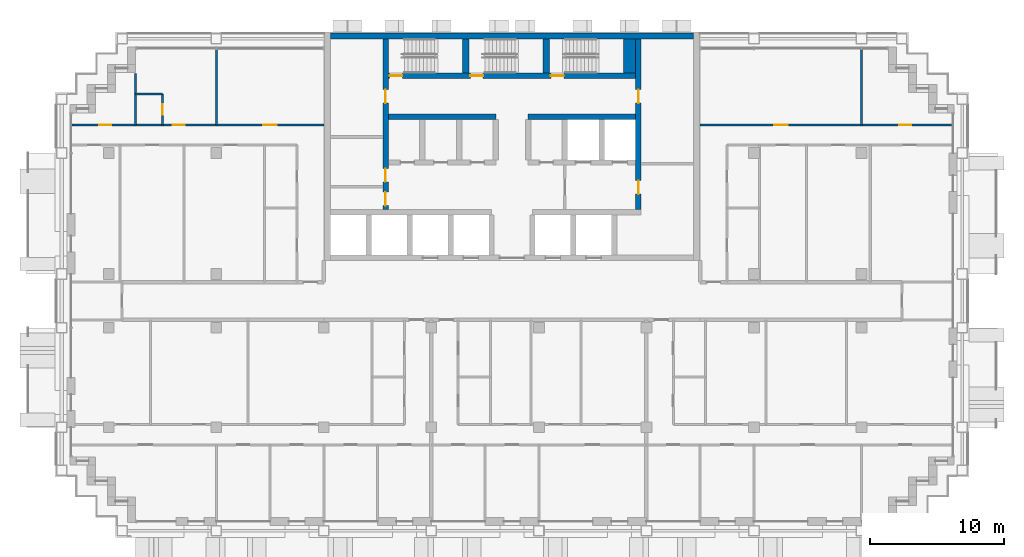
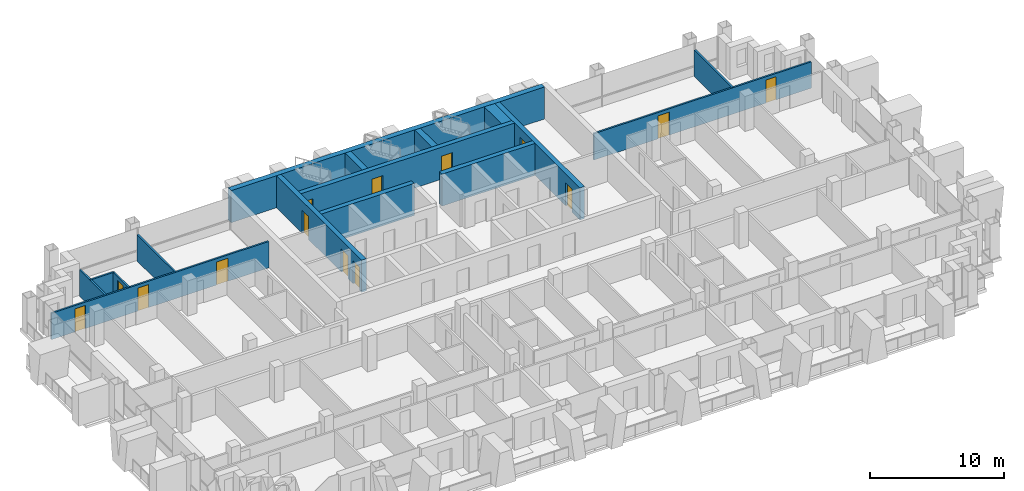
# One storey, part 11 of 16: 16 walls, 14 doors, 14 openings.
"""IFC4 building model written with IfcOpenShell, lengths in metres."""

import ifcopenshell
import ifcopenshell.guid

model = None  # the IFC model being written
_history = None  # IfcOwnerHistory: only IFC2X3 demands one
_inside = {}  # id of a spatial element -> (the spatial element, [elements in it])
_under = {}  # id of a project, library or spatial element -> (it, [spatial elements below it])
_declared = {}  # id of a project -> (the project, [libraries it declares])
_typed = {}  # id of a type object -> (the type object, [elements of that type])
_made_of = {}  # id of a material, layer set ... -> (it, [elements and type objects made of it])


def new_model(schema):
    """Start an empty IFC model of exactly this schema.

    Asked for "IFC4X3", IfcOpenShell would pick the latest addendum, in which some entities
    have other attributes; the version numbers below select the first issue.
    IFC2X3 requires an IfcOwnerHistory on every rooted entity: one is made here for all.
    """
    global model, _history
    if schema == "IFC4X3":
        model = ifcopenshell.file(schema_version=(4, 3, 0, 0))
    else:
        model = ifcopenshell.file(schema=schema)
    _inside.clear()
    _under.clear()
    _declared.clear()
    _typed.clear()
    _made_of.clear()
    _history = None
    if model.schema == "IFC2X3":
        org = make("IfcOrganization", Name="unknown")
        user = make(
            "IfcPersonAndOrganization",
            ThePerson=make("IfcPerson", FamilyName="unknown"),
            TheOrganization=org,
        )
        app = make(
            "IfcApplication",
            ApplicationDeveloper=org,
            Version="unknown",
            ApplicationFullName="unknown",
            ApplicationIdentifier="unknown",
        )
        _history = make(
            "IfcOwnerHistory",
            OwningUser=user,
            OwningApplication=app,
            ChangeAction="ADDED",
            CreationDate=0,
        )
    return model


def make(cls, **values):
    """One entity of the class cls with the attributes given. An attribute that is None is left unset."""
    return model.create_entity(
        cls, **{name: value for name, value in values.items() if value is not None}
    )


def rooted(cls, **values):
    """An entity with a GlobalId (a new one), such as an element, a storey or a relation."""
    return make(cls, GlobalId=ifcopenshell.guid.new(), OwnerHistory=_history, **values)


def si_unit(unit_type, name, prefix=None):
    """IfcSIUnit, for example si_unit("LENGTHUNIT", "METRE", prefix="MILLI")."""
    return make("IfcSIUnit", UnitType=unit_type, Prefix=prefix, Name=name)


def assignment(units):
    """IfcUnitAssignment: the units of a project."""
    return None if units is None else make("IfcUnitAssignment", Units=units)


def point(xyz):
    """IfcCartesianPoint."""
    return None if xyz is None else make("IfcCartesianPoint", Coordinates=xyz)


def direction(xyz):
    """IfcDirection."""
    return None if xyz is None else make("IfcDirection", DirectionRatios=xyz)


def frame(location, z_axis=None, x_axis=None):
    """IfcAxis2Placement3D, a coordinate frame: its origin and axes. An axis left out is left unset."""
    return make(
        "IfcAxis2Placement3D",
        Location=point(location),
        Axis=direction(z_axis),
        RefDirection=direction(x_axis),
    )


def frame_2d(location, x_axis=None):
    """IfcAxis2Placement2D, a coordinate frame in the plane: its origin and x axis."""
    return make(
        "IfcAxis2Placement2D", Location=point(location), RefDirection=direction(x_axis)
    )


def origin():
    """The frame at (0, 0, 0) with its axes left unset."""
    return frame((0.0, 0.0, 0.0))


def place(relative_to, where):
    """IfcLocalPlacement: puts the frame where relative to a parent placement (None: the world)."""
    return make(
        "IfcLocalPlacement", PlacementRelTo=relative_to, RelativePlacement=where
    )


def context(
    kind, dimensions, precision=None, world=None, true_north=None, identifier=None
):
    """IfcGeometricRepresentationContext, for example the 3D "Model" context."""
    return make(
        "IfcGeometricRepresentationContext",
        ContextIdentifier=identifier,
        ContextType=kind,
        CoordinateSpaceDimension=dimensions,
        Precision=precision,
        WorldCoordinateSystem=world,
        TrueNorth=true_north,
    )


def subcontext(parent, identifier, kind, view, scale=None):
    """IfcGeometricRepresentationSubContext, for example "Body" below "Model"."""
    return make(
        "IfcGeometricRepresentationSubContext",
        ContextIdentifier=identifier,
        ContextType=kind,
        ParentContext=parent,
        TargetScale=scale,
        TargetView=view,
    )


def project(units=None, contexts=None):
    """IfcProject with its units and contexts."""
    return rooted(
        "IfcProject",
        Name="project",
        RepresentationContexts=contexts,
        UnitsInContext=assignment(units),
    )


def spatial(cls, under=None, at=None, **own):
    """A site, building, storey or space (cls), placed at a placement, below another one or the project."""
    s = rooted(cls, ObjectPlacement=at, **own)
    if under is not None:
        _under.setdefault(under.id(), (under, []))[1].append(s)
    return s


def profile(cls, at=None, kind="AREA", **sizes):
    """A parametric profile (cls). Its sizes go by their IFC names, for example OverallWidth=200.0."""
    return make(cls, ProfileType=kind, Position=at, **sizes)


def rectangle(**sizes):
    """IfcRectangleProfileDef."""
    return profile("IfcRectangleProfileDef", **sizes)


def extrude(swept, where, along, depth):
    """IfcExtrudedAreaSolid: the profile swept, set in the frame where, extruded along a direction by depth."""
    return make(
        "IfcExtrudedAreaSolid",
        SweptArea=swept,
        Position=where,
        ExtrudedDirection=direction(along),
        Depth=depth,
    )


def shape(context_of_items, identifier, shape_type, items):
    """IfcShapeRepresentation: the items that make up one representation, for example the "Body"."""
    return make(
        "IfcShapeRepresentation",
        ContextOfItems=context_of_items,
        RepresentationIdentifier=identifier,
        RepresentationType=shape_type,
        Items=items,
    )


def material(Name=None, Category=None):
    """IfcMaterial."""
    return make("IfcMaterial", Name=Name, Category=Category)


def layer(
    of_material, thickness, ventilated=None, Name=None, Category=None, Priority=None
):
    """IfcMaterialLayer: one layer of a wall or slab, of a material (None: an air gap)."""
    return make(
        "IfcMaterialLayer",
        Material=of_material,
        LayerThickness=thickness,
        IsVentilated=ventilated,
        Name=Name,
        Category=Category,
        Priority=Priority,
    )


def layer_set(layers, Name=None):
    """IfcMaterialLayerSet."""
    return make("IfcMaterialLayerSet", MaterialLayers=layers, LayerSetName=Name)


def made_of(thing, what):
    """Note that an element or type object is made of a material, layer set ...; save() writes the relation."""
    if what is not None:
        _made_of.setdefault(what.id(), (what, []))[1].append(thing)
    return thing


def type_object(cls, material=None, **own):
    """A type object (cls), such as IfcWallType, which elements share."""
    return made_of(rooted(cls, **own), material)


def element(
    cls,
    number,
    at=None,
    inside=None,
    cuts=None,
    type_object=None,
    material=None,
    context=None,
    identifier="Body",
    shape_type=None,
    held_by="IfcProductDefinitionShape",
    body=None,
    shapes=None,
    **own,
):
    """One element of the class cls, such as IfcWall. Its Tag is "e" and its number.

    at: its placement. inside: the storey or other place that contains it. cuts: it is an
    opening in that element (IfcRelVoidsElement). A single representation is given by context,
    identifier, shape_type and body (its items); several are given by shapes. held_by: the class
    of the entity that holds the representations. save() writes the other relations.
    """
    e = rooted(cls, Tag="e%d" % number, ObjectPlacement=at, **own)
    if body is not None:
        shapes = [shape(context, identifier, shape_type, body)]
    if shapes is not None:
        e.Representation = make(held_by, Representations=shapes)
    if inside is not None:
        _inside.setdefault(inside.id(), (inside, []))[1].append(e)
    if cuts is not None:
        rooted(
            "IfcRelVoidsElement", RelatingBuildingElement=cuts, RelatedOpeningElement=e
        )
    if type_object is not None:
        _typed.setdefault(type_object.id(), (type_object, []))[1].append(e)
    return made_of(e, material)


def fill(opening, filler):
    """IfcRelFillsElement: the door or window that sits in an opening."""
    return rooted(
        "IfcRelFillsElement",
        RelatingOpeningElement=opening,
        RelatedBuildingElement=filler,
    )


def aggregate(whole, parts):
    """IfcRelAggregates: a whole, such as a stair, and the parts it consists of."""
    return rooted("IfcRelAggregates", RelatingObject=whole, RelatedObjects=parts)


def save(model, path):
    """Write the relations noted so far, then the file.

    IfcRelAggregates (storeys below a building ...), IfcRelContainedInSpatialStructure (elements
    in a storey), IfcRelDefinesByType, IfcRelAssociatesMaterial and IfcRelDeclares: one each for
    every whole, place, type object, material and project.
    """
    for whole, parts in _under.values():
        aggregate(whole, parts)
    for where, things in _inside.values():
        rooted(
            "IfcRelContainedInSpatialStructure",
            RelatedElements=things,
            RelatingStructure=where,
        )
    for kind, things in _typed.values():
        rooted("IfcRelDefinesByType", RelatedObjects=things, RelatingType=kind)
    for what, things in _made_of.values():
        rooted("IfcRelAssociatesMaterial", RelatedObjects=things, RelatingMaterial=what)
    for by, libraries in _declared.values():
        rooted("IfcRelDeclares", RelatingContext=by, RelatedDefinitions=libraries)
    model.write(path)


model = new_model("IFC4")

# Units and contexts
model_context = context("Model", 3, precision=1e-05, world=origin(), true_north=direction((0.0, 1.0)))
body_context = subcontext(model_context, "Body", "Model", "MODEL_VIEW")
ifc_project = project(units=[si_unit("LENGTHUNIT", "METRE"), si_unit("AREAUNIT", "SQUARE_METRE"), si_unit("VOLUMEUNIT", "CUBIC_METRE"), si_unit("PLANEANGLEUNIT", "RADIAN"), si_unit("MASSUNIT", "GRAM", prefix="KILO")], contexts=[model_context])

# Site, building, storey
site_placement = place(None, origin())
site = spatial("IfcSite", under=ifc_project, at=site_placement, CompositionType="ELEMENT")
building_placement = place(site_placement, origin())
building = spatial("IfcBuilding", under=site, at=building_placement, Name="Vidyagriha Tower", CompositionType="ELEMENT")
storey_placement = place(building_placement, frame((0.0, 0.0, 132.60009765625)))
storey = spatial("IfcBuildingStorey", under=building, at=storey_placement, Name="L34", CompositionType="ELEMENT", Elevation=132.60009765625)

# Wall, openings, doors
ifc_material_1 = material(Name="Concrete C60/75", Category="concrete")
ifc_layer_1 = layer(ifc_material_1, 0.39990234375)
ifc_layer_set_1 = layer_set([ifc_layer_1], Name="Concrete C60/75")
wall_type_1 = type_object("IfcWallType", Name="Core shear wall 400 mm", PredefinedType="SHEAR", material=ifc_layer_set_1)
wall_1_placement = place(storey_placement, frame((-9.39990234375, 6.800048828125, 0.0), z_axis=(0.0, 0.0, 1.0), x_axis=(0.0, 1.0, 0.0)))
wall_1 = element("IfcWall", 1, at=wall_1_placement, inside=storey, type_object=wall_type_1, Name="Core west spine wall", PredefinedType="SHEAR", context=body_context, shape_type="SweptSolid", body=[
    extrude(rectangle(XDim=12.699951171875, YDim=0.39990234375, at=frame_2d((6.35009765625, 0.0))), origin(), (0.0, 0.0, 1.0), 2.919921875),
])
opening_1_placement = place(wall_1_placement, frame((0.300048828125, 0.0, 0.0)))
opening_1 = element("IfcOpeningElement", 2, at=opening_1_placement, cuts=wall_1, Name="Opening D34-10", PredefinedType="OPENING", context=body_context, shape_type="SweptSolid", body=[
    extrude(rectangle(XDim=1.0, YDim=2.10009765625, at=frame_2d((0.5, 1.050048828125))), frame((0.0, 0.2099609375, 0.0), z_axis=(0.0, -1.0, 0.0), x_axis=(1.0, 0.0, 0.0)), (0.0, 0.0, 1.0), 0.419921875),
])
opening_2_placement = place(wall_1_placement, frame((2.050048828125, 0.0, 0.0)))
opening_2 = element("IfcOpeningElement", 3, at=opening_2_placement, cuts=wall_1, Name="Opening D34-11", PredefinedType="OPENING", context=body_context, shape_type="SweptSolid", body=[
    extrude(rectangle(XDim=1.0, YDim=2.10009765625, at=frame_2d((0.5, 1.050048828125))), frame((0.0, 0.2099609375, 0.0), z_axis=(0.0, -1.0, 0.0), x_axis=(1.0, 0.0, 0.0)), (0.0, 0.0, 1.0), 0.419921875),
])
opening_3_placement = place(wall_1_placement, frame((7.925048828125, 0.0, 0.0)))
opening_3 = element("IfcOpeningElement", 4, at=opening_3_placement, cuts=wall_1, Name="Opening D34-12", PredefinedType="OPENING", context=body_context, shape_type="SweptSolid", body=[
    extrude(rectangle(XDim=1.0, YDim=2.10009765625, at=frame_2d((0.5, 1.050048828125))), frame((0.0, 0.2099609375, 0.0), z_axis=(0.0, -1.0, 0.0), x_axis=(1.0, 0.0, 0.0)), (0.0, 0.0, 1.0), 0.419921875),
])
ifc_material_2 = material(Name="Hollow metal door leaf")
door_type_1 = type_object("IfcDoorType", Name="Core room door 1000 x 2100 mm EI 60", OperationType="NOTDEFINED", PredefinedType="DOOR", material=ifc_material_2)
door_1_placement = place(opening_1_placement, frame((1.0, 0.0, 0.0), z_axis=(0.0, 0.0, 1.0), x_axis=(-1.0, 0.0, 0.0)))
door_1 = element("IfcDoor", 5, at=door_1_placement, inside=storey, type_object=door_type_1, Name="Door Electrical Room 34.W1", OperationType="SINGLE_SWING_RIGHT", OverallHeight=2.10009765625, OverallWidth=1.0, PredefinedType="DOOR", context=body_context, shape_type="SweptSolid", body=[
    extrude(rectangle(XDim=1.0, YDim=2.10009765625, at=frame_2d((0.5, 1.050048828125))), frame((0.0, 0.02490234375, 0.0), z_axis=(0.0, -1.0, 0.0), x_axis=(1.0, 0.0, 0.0)), (0.0, 0.0, 1.0), 0.050048828125),
])
fill(opening_1, door_1)
door_2_placement = place(opening_2_placement, frame((1.0, 0.0, 0.0), z_axis=(0.0, 0.0, 1.0), x_axis=(-1.0, 0.0, 0.0)))
door_2 = element("IfcDoor", 6, at=door_2_placement, inside=storey, type_object=door_type_1, Name="Door Refuse Room 34.W2", OperationType="SINGLE_SWING_LEFT", OverallHeight=2.10009765625, OverallWidth=1.0, PredefinedType="DOOR", context=body_context, shape_type="SweptSolid", body=[
    extrude(rectangle(XDim=1.0, YDim=2.10009765625, at=frame_2d((0.5, 1.050048828125))), frame((0.0, 0.02490234375, 0.0), z_axis=(0.0, -1.0, 0.0), x_axis=(1.0, 0.0, 0.0)), (0.0, 0.0, 1.0), 0.050048828125),
])
fill(opening_2, door_2)
door_3_placement = place(opening_3_placement, frame((1.0, 0.0, 0.0), z_axis=(0.0, 0.0, 1.0), x_axis=(-1.0, 0.0, 0.0)))
door_3 = element("IfcDoor", 7, at=door_3_placement, inside=storey, type_object=door_type_1, Name="Door Mechanical Riser Room 34.W3", OperationType="SINGLE_SWING_LEFT", OverallHeight=2.10009765625, OverallWidth=1.0, PredefinedType="DOOR", context=body_context, shape_type="SweptSolid", body=[
    extrude(rectangle(XDim=1.0, YDim=2.10009765625, at=frame_2d((0.5, 1.050048828125))), frame((0.0, 0.02490234375, 0.0), z_axis=(0.0, -1.0, 0.0), x_axis=(1.0, 0.0, 0.0)), (0.0, 0.0, 1.0), 0.050048828125),
])
fill(opening_3, door_3)

wall_2_placement = place(storey_placement, frame((9.39990234375, 6.800048828125, 0.0), z_axis=(0.0, 0.0, 1.0), x_axis=(0.0, 1.0, 0.0)))
wall_2 = element("IfcWall", 8, at=wall_2_placement, inside=storey, type_object=wall_type_1, Name="Core east spine wall", PredefinedType="SHEAR", context=body_context, shape_type="SweptSolid", body=[
    extrude(rectangle(XDim=12.699951171875, YDim=0.39990234375, at=frame_2d((6.35009765625, 0.0))), origin(), (0.0, 0.0, 1.0), 2.919921875),
])
opening_4_placement = place(wall_2_placement, frame((1.14990234375, 0.0, 0.0)))
opening_4 = element("IfcOpeningElement", 9, at=opening_4_placement, cuts=wall_2, Name="Opening D34-13", PredefinedType="OPENING", context=body_context, shape_type="SweptSolid", body=[
    extrude(rectangle(XDim=1.0, YDim=2.10009765625, at=frame_2d((0.5, 1.050048828125))), frame((0.0, 0.2099609375, 0.0), z_axis=(0.0, -1.0, 0.0), x_axis=(1.0, 0.0, 0.0)), (0.0, 0.0, 1.0), 0.419921875),
])
opening_5_placement = place(wall_2_placement, frame((7.925048828125, 0.0, 0.0)))
opening_5 = element("IfcOpeningElement", 10, at=opening_5_placement, cuts=wall_2, Name="Opening D34-14", PredefinedType="OPENING", context=body_context, shape_type="SweptSolid", body=[
    extrude(rectangle(XDim=1.0, YDim=2.10009765625, at=frame_2d((0.5, 1.050048828125))), frame((0.0, 0.2099609375, 0.0), z_axis=(0.0, -1.0, 0.0), x_axis=(1.0, 0.0, 0.0)), (0.0, 0.0, 1.0), 0.419921875),
])
door_4_placement = place(opening_4_placement, origin())
door_4 = element("IfcDoor", 11, at=door_4_placement, inside=storey, type_object=door_type_1, Name="Door Cleaners Store 34.E1", OperationType="SINGLE_SWING_RIGHT", OverallHeight=2.10009765625, OverallWidth=1.0, PredefinedType="DOOR", context=body_context, shape_type="SweptSolid", body=[
    extrude(rectangle(XDim=1.0, YDim=2.10009765625, at=frame_2d((0.5, 1.050048828125))), frame((0.0, 0.02490234375, 0.0), z_axis=(0.0, -1.0, 0.0), x_axis=(1.0, 0.0, 0.0)), (0.0, 0.0, 1.0), 0.050048828125),
])
fill(opening_4, door_4)
door_5_placement = place(opening_5_placement, origin())
door_5 = element("IfcDoor", 12, at=door_5_placement, inside=storey, type_object=door_type_1, Name="Door Pressurisation Plant Room 34.E2", OperationType="SINGLE_SWING_LEFT", OverallHeight=2.10009765625, OverallWidth=1.0, PredefinedType="DOOR", context=body_context, shape_type="SweptSolid", body=[
    extrude(rectangle(XDim=1.0, YDim=2.10009765625, at=frame_2d((0.5, 1.050048828125))), frame((0.0, 0.02490234375, 0.0), z_axis=(0.0, -1.0, 0.0), x_axis=(1.0, 0.0, 0.0)), (0.0, 0.0, 1.0), 0.050048828125),
])
fill(opening_5, door_5)

# Walls
for number, where, name in (
    (13, (-9.199951171875, 13.699951171875, 0.0), "Core row N rear wall"),
    (14, (1.199951171875, 13.699951171875, 0.0), "Core row N rear wall"),
):
    element("IfcWall", number, at=place(storey_placement, frame(where)), inside=storey, type_object=wall_type_1, Name=name, PredefinedType="SHEAR", context=body_context, shape_type="SweptSolid", body=[
        extrude(rectangle(XDim=8.0, YDim=0.39990234375, at=frame_2d((4.0, 0.0))), origin(), (0.0, 0.0, 1.0), 2.919921875),
    ])

# Wall, openings, doors
wall_3_placement = place(storey_placement, frame((-9.199951171875, 16.75, 0.0)))
wall_3 = element("IfcWall", 15, at=wall_3_placement, inside=storey, type_object=wall_type_1, Name="Stair front wall", PredefinedType="SHEAR", context=body_context, shape_type="SweptSolid", body=[
    extrude(rectangle(XDim=18.39990234375, YDim=0.39990234375, at=frame_2d((9.199951171875, 0.0))), origin(), (0.0, 0.0, 1.0), 2.919921875),
])
opening_6_placement = place(wall_3_placement, frame((0.10009765625, 0.0, 0.0)))
opening_6 = element("IfcOpeningElement", 16, at=opening_6_placement, cuts=wall_3, Name="Opening D34-07", PredefinedType="OPENING", context=body_context, shape_type="SweptSolid", body=[
    extrude(rectangle(XDim=0.949951171875, YDim=2.10009765625, at=frame_2d((0.47509765625, 1.050048828125))), frame((0.0, 0.2099609375, 0.0), z_axis=(0.0, -1.0, 0.0), x_axis=(1.0, 0.0, 0.0)), (0.0, 0.0, 1.0), 0.419921875),
])
opening_7_placement = place(wall_3_placement, frame((6.10009765625, 0.0, 0.0)))
opening_7 = element("IfcOpeningElement", 17, at=opening_7_placement, cuts=wall_3, Name="Opening D34-08", PredefinedType="OPENING", context=body_context, shape_type="SweptSolid", body=[
    extrude(rectangle(XDim=0.949951171875, YDim=2.10009765625, at=frame_2d((0.47509765625, 1.050048828125))), frame((0.0, 0.2099609375, 0.0), z_axis=(0.0, -1.0, 0.0), x_axis=(1.0, 0.0, 0.0)), (0.0, 0.0, 1.0), 0.419921875),
])
opening_8_placement = place(wall_3_placement, frame((12.10009765625, 0.0, 0.0)))
opening_8 = element("IfcOpeningElement", 18, at=opening_8_placement, cuts=wall_3, Name="Opening D34-09", PredefinedType="OPENING", context=body_context, shape_type="SweptSolid", body=[
    extrude(rectangle(XDim=0.949951171875, YDim=2.10009765625, at=frame_2d((0.47509765625, 1.050048828125))), frame((0.0, 0.2099609375, 0.0), z_axis=(0.0, -1.0, 0.0), x_axis=(1.0, 0.0, 0.0)), (0.0, 0.0, 1.0), 0.419921875),
])
ifc_material_3 = material(Name="Hollow metal door leaf")
door_type_2 = type_object("IfcDoorType", Name="Exit stair door 950 x 2100 mm EI 90", OperationType="NOTDEFINED", PredefinedType="DOOR", material=ifc_material_3)
door_6_placement = place(opening_6_placement, origin())
door_6 = element("IfcDoor", 19, at=door_6_placement, inside=storey, type_object=door_type_2, Name="Stair door ST1 L34", OperationType="SINGLE_SWING_LEFT", OverallHeight=2.10009765625, OverallWidth=0.949951171875, PredefinedType="DOOR", context=body_context, shape_type="SweptSolid", body=[
    extrude(rectangle(XDim=0.949951171875, YDim=2.10009765625, at=frame_2d((0.47509765625, 1.050048828125))), frame((0.0, 0.02490234375, 0.0), z_axis=(0.0, -1.0, 0.0), x_axis=(1.0, 0.0, 0.0)), (0.0, 0.0, 1.0), 0.050048828125),
])
fill(opening_6, door_6)
door_7_placement = place(opening_7_placement, origin())
door_7 = element("IfcDoor", 20, at=door_7_placement, inside=storey, type_object=door_type_2, Name="Stair door ST2 L34", OperationType="SINGLE_SWING_LEFT", OverallHeight=2.10009765625, OverallWidth=0.949951171875, PredefinedType="DOOR", context=body_context, shape_type="SweptSolid", body=[
    extrude(rectangle(XDim=0.949951171875, YDim=2.10009765625, at=frame_2d((0.47509765625, 1.050048828125))), frame((0.0, 0.02490234375, 0.0), z_axis=(0.0, -1.0, 0.0), x_axis=(1.0, 0.0, 0.0)), (0.0, 0.0, 1.0), 0.050048828125),
])
fill(opening_7, door_7)
door_8_placement = place(opening_8_placement, origin())
door_8 = element("IfcDoor", 21, at=door_8_placement, inside=storey, type_object=door_type_2, Name="Stair door ST3 L34", OperationType="SINGLE_SWING_LEFT", OverallHeight=2.10009765625, OverallWidth=0.949951171875, PredefinedType="DOOR", context=body_context, shape_type="SweptSolid", body=[
    extrude(rectangle(XDim=0.949951171875, YDim=2.10009765625, at=frame_2d((0.47509765625, 1.050048828125))), frame((0.0, 0.02490234375, 0.0), z_axis=(0.0, -1.0, 0.0), x_axis=(1.0, 0.0, 0.0)), (0.0, 0.0, 1.0), 0.050048828125),
])
fill(opening_8, door_8)

# Walls
ifc_material_4 = material(Name="Concrete C60/75", Category="concrete")
ifc_layer_2 = layer(ifc_material_4, 0.449951171875)
ifc_layer_set_2 = layer_set([ifc_layer_2], Name="Concrete C60/75")
wall_type_2 = type_object("IfcWallType", Name="Core shear wall 450 mm", PredefinedType="SHEAR", material=ifc_layer_set_2)
wall_4_placement = place(storey_placement, frame((-13.5, 19.72509765625, 0.0)))
element("IfcWall", 22, at=wall_4_placement, inside=storey, type_object=wall_type_2, Name="Core north wall", PredefinedType="SHEAR", context=body_context, shape_type="SweptSolid", body=[
    extrude(rectangle(XDim=27.0, YDim=0.449951171875, at=frame_2d((13.5, 0.0))), origin(), (0.0, 0.0, 1.0), 2.919921875),
])
ifc_material_5 = material(Name="Concrete C60/75", Category="concrete")
ifc_layer_3 = layer(ifc_material_5, 0.5)
ifc_layer_set_3 = layer_set([ifc_layer_3], Name="Concrete C60/75")
wall_type_3 = type_object("IfcWallType", Name="Core shear wall 500 mm", PredefinedType="SHEAR", material=ifc_layer_set_3)
for number, where, z_axis, x_axis, name in (
    (23, (-3.449951171875, 16.949951171875, 0.0), (0.0, 0.0, 1.0), (0.0, 1.0, 0.0), "Stair partition wall 1"),
    (24, (2.550048828125, 16.949951171875, 0.0), (0.0, 0.0, 1.0), (0.0, 1.0, 0.0), "Stair partition wall 2"),
):
    element("IfcWall", number, at=place(storey_placement, frame(where, z_axis=z_axis, x_axis=x_axis)), inside=storey, type_object=wall_type_3, Name=name, PredefinedType="SHEAR", context=body_context, shape_type="SweptSolid", body=[
        extrude(rectangle(XDim=2.550048828125, YDim=0.5, at=frame_2d((1.27490234375, 0.0))), origin(), (0.0, 0.0, 1.0), 2.919921875),
    ])
ifc_material_6 = material(Name="Concrete C60/75", Category="concrete")
ifc_layer_4 = layer(ifc_material_6, 0.89990234375)
ifc_layer_set_4 = layer_set([ifc_layer_4], Name="Concrete C60/75")
wall_type_4 = type_object("IfcWallType", Name="Core shear wall 900 mm", PredefinedType="SHEAR", material=ifc_layer_set_4)
wall_5_placement = place(storey_placement, frame((8.75, 16.949951171875, 0.0), z_axis=(0.0, 0.0, 1.0), x_axis=(0.0, 1.0, 0.0)))
element("IfcWall", 25, at=wall_5_placement, inside=storey, type_object=wall_type_4, Name="Stair end wall", PredefinedType="SHEAR", context=body_context, shape_type="SweptSolid", body=[
    extrude(rectangle(XDim=2.550048828125, YDim=0.89990234375, at=frame_2d((1.27490234375, 0.0))), origin(), (0.0, 0.0, 1.0), 2.919921875),
])

# Wall, openings, doors
ifc_material_7 = material(Name="Gypsum board partition")
ifc_layer_5 = layer(ifc_material_7, 0.14990234375)
ifc_layer_set_5 = layer_set([ifc_layer_5], Name="Gypsum board partition")
wall_type_5 = type_object("IfcWallType", Name="Gypsum board partition 150", PredefinedType="PARTITIONING", material=ifc_layer_set_5)
wall_6_placement = place(storey_placement, frame((-32.719970703125, 13.10009765625, 0.0)))
wall_6 = element("IfcWall", 26, at=wall_6_placement, inside=storey, type_object=wall_type_5, Name="Wall all-L34-w078", PredefinedType="PARTITIONING", context=body_context, shape_type="SweptSolid", body=[
    extrude(rectangle(XDim=18.719970703125, YDim=0.14990234375, at=frame_2d((9.35986328125, 0.0))), origin(), (0.0, 0.0, 1.0), 2.39990234375),
])
opening_9_placement = place(wall_6_placement, frame((2.02001953125, 0.0, 0.0)))
opening_9 = element("IfcOpeningElement", 27, at=opening_9_placement, cuts=wall_6, Name="Opening D34-50", PredefinedType="OPENING", context=body_context, shape_type="SweptSolid", body=[
    extrude(rectangle(XDim=0.89990234375, YDim=2.10009765625, at=frame_2d((0.449951171875, 1.050048828125))), frame((0.0, 0.0849609375, 0.0), z_axis=(0.0, -1.0, 0.0), x_axis=(1.0, 0.0, 0.0)), (0.0, 0.0, 1.0), 0.169921875),
])
opening_10_placement = place(wall_6_placement, frame((7.469970703125, 0.0, 0.0)))
opening_10 = element("IfcOpeningElement", 28, at=opening_10_placement, cuts=wall_6, Name="Opening D34-51", PredefinedType="OPENING", context=body_context, shape_type="SweptSolid", body=[
    extrude(rectangle(XDim=0.89990234375, YDim=2.10009765625, at=frame_2d((0.449951171875, 1.050048828125))), frame((0.0, 0.0849609375, 0.0), z_axis=(0.0, -1.0, 0.0), x_axis=(1.0, 0.0, 0.0)), (0.0, 0.0, 1.0), 0.169921875),
])
opening_11_placement = place(wall_6_placement, frame((14.219970703125, 0.0, 0.0)))
opening_11 = element("IfcOpeningElement", 29, at=opening_11_placement, cuts=wall_6, Name="Opening D34-52", PredefinedType="OPENING", context=body_context, shape_type="SweptSolid", body=[
    extrude(rectangle(XDim=1.0, YDim=2.10009765625, at=frame_2d((0.5, 1.050048828125))), frame((0.0, 0.0849609375, 0.0), z_axis=(0.0, -1.0, 0.0), x_axis=(1.0, 0.0, 0.0)), (0.0, 0.0, 1.0), 0.169921875),
])
ifc_material_8 = material(Name="Timber door leaf", Category="wood")
door_type_3 = type_object("IfcDoorType", Name="Room door 1000x2100", OperationType="NOTDEFINED", PredefinedType="DOOR", material=ifc_material_8)
door_9_placement = place(opening_11_placement, origin())
door_9 = element("IfcDoor", 30, at=door_9_placement, inside=storey, type_object=door_type_3, Name="Door D34-52", OperationType="SINGLE_SWING_RIGHT", OverallHeight=2.10009765625, OverallWidth=1.0, PredefinedType="DOOR", context=body_context, shape_type="SweptSolid", body=[
    extrude(rectangle(XDim=1.0, YDim=2.10009765625, at=frame_2d((0.5, 1.050048828125))), frame((0.0, 0.02490234375, 0.0), z_axis=(0.0, -1.0, 0.0), x_axis=(1.0, 0.0, 0.0)), (0.0, 0.0, 1.0), 0.050048828125),
])
fill(opening_11, door_9)
ifc_material_9 = material(Name="Timber door leaf", Category="wood")
door_type_4 = type_object("IfcDoorType", Name="Room door 900x2100", OperationType="NOTDEFINED", PredefinedType="DOOR", material=ifc_material_9)
door_10_placement = place(opening_9_placement, origin())
door_10 = element("IfcDoor", 31, at=door_10_placement, inside=storey, type_object=door_type_4, Name="Door D34-50", OperationType="SINGLE_SWING_RIGHT", OverallHeight=2.10009765625, OverallWidth=0.89990234375, PredefinedType="DOOR", context=body_context, shape_type="SweptSolid", body=[
    extrude(rectangle(XDim=0.89990234375, YDim=2.10009765625, at=frame_2d((0.449951171875, 1.050048828125))), frame((0.0, 0.02490234375, 0.0), z_axis=(0.0, -1.0, 0.0), x_axis=(1.0, 0.0, 0.0)), (0.0, 0.0, 1.0), 0.050048828125),
])
fill(opening_9, door_10)
door_11_placement = place(opening_10_placement, origin())
door_11 = element("IfcDoor", 32, at=door_11_placement, inside=storey, type_object=door_type_4, Name="Door D34-51", OperationType="SINGLE_SWING_RIGHT", OverallHeight=2.10009765625, OverallWidth=0.89990234375, PredefinedType="DOOR", context=body_context, shape_type="SweptSolid", body=[
    extrude(rectangle(XDim=0.89990234375, YDim=2.10009765625, at=frame_2d((0.449951171875, 1.050048828125))), frame((0.0, 0.02490234375, 0.0), z_axis=(0.0, -1.0, 0.0), x_axis=(1.0, 0.0, 0.0)), (0.0, 0.0, 1.0), 0.050048828125),
])
fill(opening_10, door_11)

# Walls
wall_7_placement = place(storey_placement, frame((-28.0, 16.919921875, 0.0), z_axis=(0.0, 0.0, 1.0), x_axis=(0.0, -1.0, 0.0)))
element("IfcWall", 33, at=wall_7_placement, inside=storey, type_object=wall_type_5, Name="Wall all-L34-w082", PredefinedType="PARTITIONING", context=body_context, shape_type="SweptSolid", body=[
    extrude(rectangle(XDim=3.81982421875, YDim=0.14990234375, at=frame_2d((1.909912109375, 0.0))), origin(), (0.0, 0.0, 1.0), 2.39990234375),
])
wall_8_placement = place(storey_placement, frame((-22.0, 18.720947265625, 0.0), z_axis=(0.0, 0.0, 1.0), x_axis=(0.0, -1.0, 0.0)))
element("IfcWall", 34, at=wall_8_placement, inside=storey, type_object=wall_type_5, Name="Wall all-L34-w083", PredefinedType="PARTITIONING", context=body_context, shape_type="SweptSolid", body=[
    extrude(rectangle(XDim=5.620849609375, YDim=0.14990234375, at=frame_2d((2.810546875, 0.0))), origin(), (0.0, 0.0, 1.0), 2.39990234375),
])

# Wall, opening, door
wall_9_placement = place(storey_placement, frame((-26.0, 15.39990234375, 0.0), z_axis=(0.0, 0.0, 1.0), x_axis=(0.0, -1.0, 0.0)))
wall_9 = element("IfcWall", 35, at=wall_9_placement, inside=storey, type_object=wall_type_5, Name="Wall all-L34-w084", PredefinedType="PARTITIONING", context=body_context, shape_type="SweptSolid", body=[
    extrude(rectangle(XDim=2.2998046875, YDim=0.14990234375, at=frame_2d((1.14990234375, 0.0))), origin(), (0.0, 0.0, 1.0), 2.39990234375),
])
opening_12_placement = place(wall_9_placement, frame((0.75, 0.0, 0.0)))
opening_12 = element("IfcOpeningElement", 36, at=opening_12_placement, cuts=wall_9, Name="Opening D34-53", PredefinedType="OPENING", context=body_context, shape_type="SweptSolid", body=[
    extrude(rectangle(XDim=0.800048828125, YDim=2.10009765625, at=frame_2d((0.39990234375, 1.050048828125))), frame((0.0, 0.0849609375, 0.0), z_axis=(0.0, -1.0, 0.0), x_axis=(1.0, 0.0, 0.0)), (0.0, 0.0, 1.0), 0.169921875),
])
ifc_material_10 = material(Name="Timber door leaf", Category="wood")
door_type_5 = type_object("IfcDoorType", Name="Bathroom door 800x2100", OperationType="NOTDEFINED", PredefinedType="DOOR", material=ifc_material_10)
door_12_placement = place(opening_12_placement, origin())
door_12 = element("IfcDoor", 37, at=door_12_placement, inside=storey, type_object=door_type_5, Name="Door D34-53", OperationType="SINGLE_SWING_RIGHT", OverallHeight=2.10009765625, OverallWidth=0.800048828125, PredefinedType="DOOR", context=body_context, shape_type="SweptSolid", body=[
    extrude(rectangle(XDim=0.800048828125, YDim=2.10009765625, at=frame_2d((0.39990234375, 1.050048828125))), frame((0.0, 0.02490234375, 0.0), z_axis=(0.0, -1.0, 0.0), x_axis=(1.0, 0.0, 0.0)), (0.0, 0.0, 1.0), 0.050048828125),
])
fill(opening_12, door_12)

# Wall
wall_10_placement = place(storey_placement, frame((-28.0, 15.39990234375, 0.0)))
element("IfcWall", 38, at=wall_10_placement, inside=storey, type_object=wall_type_5, Name="Wall all-L34-w085", PredefinedType="PARTITIONING", context=body_context, shape_type="SweptSolid", body=[
    extrude(rectangle(XDim=2.0, YDim=0.14990234375, at=frame_2d((1.0, 0.0))), origin(), (0.0, 0.0, 1.0), 2.39990234375),
])

# Wall, openings, doors
wall_11_placement = place(storey_placement, frame((14.0, 13.10009765625, 0.0)))
wall_11 = element("IfcWall", 39, at=wall_11_placement, inside=storey, type_object=wall_type_5, Name="Wall all-L34-w101", PredefinedType="PARTITIONING", context=body_context, shape_type="SweptSolid", body=[
    extrude(rectangle(XDim=18.719970703125, YDim=0.14990234375, at=frame_2d((9.35986328125, 0.0))), origin(), (0.0, 0.0, 1.0), 2.39990234375),
])
opening_13_placement = place(wall_11_placement, frame((5.5, 0.0, 0.0)))
opening_13 = element("IfcOpeningElement", 40, at=opening_13_placement, cuts=wall_11, Name="Opening D34-60", PredefinedType="OPENING", context=body_context, shape_type="SweptSolid", body=[
    extrude(rectangle(XDim=1.0, YDim=2.10009765625, at=frame_2d((0.5, 1.050048828125))), frame((0.0, 0.0849609375, 0.0), z_axis=(0.0, -1.0, 0.0), x_axis=(1.0, 0.0, 0.0)), (0.0, 0.0, 1.0), 0.169921875),
])
opening_14_placement = place(wall_11_placement, frame((14.800048828125, 0.0, 0.0)))
opening_14 = element("IfcOpeningElement", 41, at=opening_14_placement, cuts=wall_11, Name="Opening D34-61", PredefinedType="OPENING", context=body_context, shape_type="SweptSolid", body=[
    extrude(rectangle(XDim=0.89990234375, YDim=2.10009765625, at=frame_2d((0.449951171875, 1.050048828125))), frame((0.0, 0.0849609375, 0.0), z_axis=(0.0, -1.0, 0.0), x_axis=(1.0, 0.0, 0.0)), (0.0, 0.0, 1.0), 0.169921875),
])
door_13_placement = place(opening_13_placement, origin())
door_13 = element("IfcDoor", 42, at=door_13_placement, inside=storey, type_object=door_type_3, Name="Door D34-60", OperationType="SINGLE_SWING_RIGHT", OverallHeight=2.10009765625, OverallWidth=1.0, PredefinedType="DOOR", context=body_context, shape_type="SweptSolid", body=[
    extrude(rectangle(XDim=1.0, YDim=2.10009765625, at=frame_2d((0.5, 1.050048828125))), frame((0.0, 0.02490234375, 0.0), z_axis=(0.0, -1.0, 0.0), x_axis=(1.0, 0.0, 0.0)), (0.0, 0.0, 1.0), 0.050048828125),
])
fill(opening_13, door_13)
door_14_placement = place(opening_14_placement, origin())
door_14 = element("IfcDoor", 43, at=door_14_placement, inside=storey, type_object=door_type_4, Name="Door D34-61", OperationType="SINGLE_SWING_RIGHT", OverallHeight=2.10009765625, OverallWidth=0.89990234375, PredefinedType="DOOR", context=body_context, shape_type="SweptSolid", body=[
    extrude(rectangle(XDim=0.89990234375, YDim=2.10009765625, at=frame_2d((0.449951171875, 1.050048828125))), frame((0.0, 0.02490234375, 0.0), z_axis=(0.0, -1.0, 0.0), x_axis=(1.0, 0.0, 0.0)), (0.0, 0.0, 1.0), 0.050048828125),
])
fill(opening_14, door_14)

# Wall
wall_12_placement = place(storey_placement, frame((26.0, 18.720947265625, 0.0), z_axis=(0.0, 0.0, 1.0), x_axis=(0.0, -1.0, 0.0)))
element("IfcWall", 44, at=wall_12_placement, inside=storey, type_object=wall_type_5, Name="Wall all-L34-w104", PredefinedType="PARTITIONING", context=body_context, shape_type="SweptSolid", body=[
    extrude(rectangle(XDim=5.620849609375, YDim=0.14990234375, at=frame_2d((2.810546875, 0.0))), origin(), (0.0, 0.0, 1.0), 2.39990234375),
])

save(model, "model.ifc")
